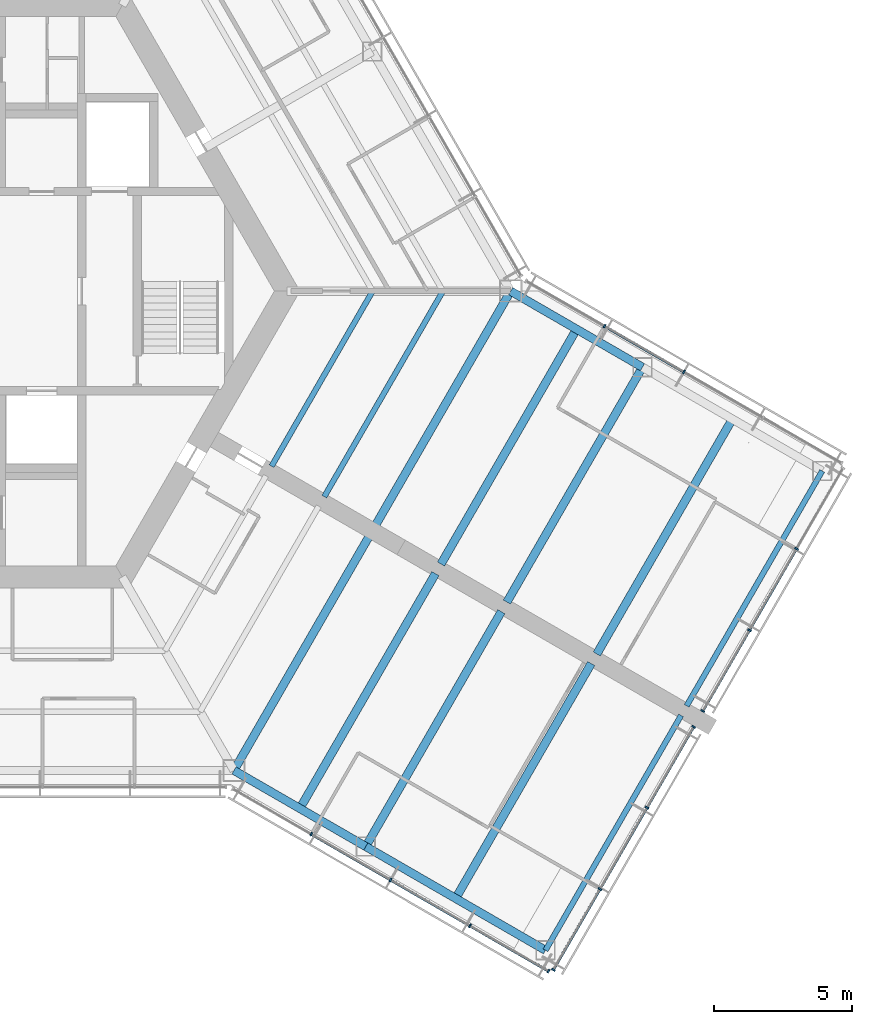
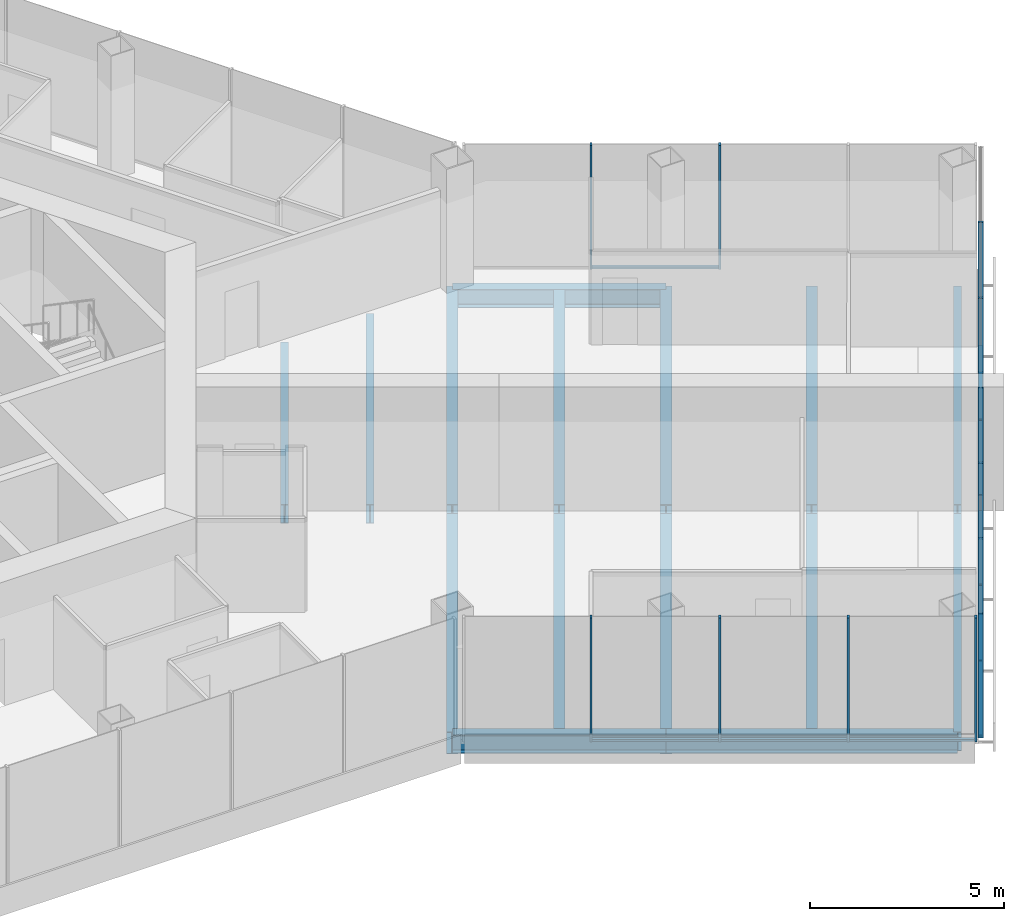
# One storey, part 4 of 17: 22 members, 15 beams, 4 elements without a shape of their own.
"""IFC4 building model written with IfcOpenShell, lengths in metres."""

from ifc_helpers import new_model, si_unit, direction, frame, origin, origin_2d, place, context, subcontext, project, spatial, rectangle, i_section, extrude, material, material_profile, profile_set, type_object, element, aggregate, save


model = new_model("IFC4")

# Units and contexts
model_context = context("Model", 3, precision=1e-05, world=origin(), true_north=direction((0.0, 1.0)))
body_context = subcontext(model_context, "Body", "Model", "MODEL_VIEW")
ifc_project = project(units=[si_unit("LENGTHUNIT", "METRE"), si_unit("AREAUNIT", "SQUARE_METRE"), si_unit("VOLUMEUNIT", "CUBIC_METRE"), si_unit("PLANEANGLEUNIT", "RADIAN"), si_unit("MASSUNIT", "GRAM", prefix="KILO")], contexts=[model_context])

# Site, building, storey
site_placement = place(None, origin())
site = spatial("IfcSite", under=ifc_project, at=site_placement, CompositionType="ELEMENT")
building_placement = place(site_placement, origin())
building = spatial("IfcBuilding", under=site, at=building_placement, Name="Kasaneha Research Tower", CompositionType="ELEMENT")
storey_placement = place(building_placement, frame((0.0, 0.0, 224.5)))
storey = spatial("IfcBuildingStorey", under=building, at=storey_placement, Name="L56", CompositionType="ELEMENT", Elevation=224.5)

# Beams
ifc_material_1 = material(Name="Steel SN490B", Category="steel")
ifc_material_profile_1 = material_profile(ifc_material_1, i_section(OverallWidth=0.199951171875, OverallDepth=0.60009765625, WebThickness=0.010986328125, FlangeThickness=0.01708984375, FilletRadius=0.012939453125, at=origin_2d()), Name="H-600x200x11x17")
ifc_profile_set_1 = profile_set([ifc_material_profile_1], Name="Steel SN490B")
beam_type_1 = type_object("IfcBeamType", Name="B1-3 secondary beam H-600x200x11x17", PredefinedType="JOIST", material=ifc_profile_set_1)
beam_1_placement = place(storey_placement, frame((15.010986328125, 0.0, -0.449951171875), z_axis=(-0.499974128195, -0.866040340363, 0.0), x_axis=(0.866040340363, -0.499974128195, 0.0)))
element("IfcBeam", 1, at=beam_1_placement, inside=storey, type_object=beam_type_1, Name="Secondary beam RS330R1 L56", PredefinedType="JOIST", context=body_context, shape_type="SweptSolid", body=[
    extrude(i_section(OverallWidth=0.199951171875, OverallDepth=0.60009765625, WebThickness=0.010986328125, FlangeThickness=0.01708984375, FilletRadius=0.012939453125, at=origin_2d()), origin(), (0.0, 0.0, 1.0), 7.3056640625),
])
beam_2_placement = place(storey_placement, frame((17.551513671875, 0.0, -0.449951171875), z_axis=(-0.500000102728, -0.866025344474, 0.0), x_axis=(0.866025344474, -0.500000102728, 0.0)))
element("IfcBeam", 2, at=beam_2_placement, inside=storey, type_object=beam_type_1, Name="Secondary beam RS330R2 L56", PredefinedType="JOIST", context=body_context, shape_type="SweptSolid", body=[
    extrude(i_section(OverallWidth=0.199951171875, OverallDepth=0.60009765625, WebThickness=0.010986328125, FlangeThickness=0.01708984375, FilletRadius=0.012939453125, at=origin_2d()), origin(), (0.0, 0.0, 1.0), 8.57568359375),
])
ifc_material_2 = material(Name="Steel SN490B", Category="steel")
ifc_material_profile_2 = material_profile(ifc_material_2, i_section(OverallWidth=0.300048828125, OverallDepth=0.58203125, WebThickness=0.011962890625, FlangeThickness=0.01708984375, FilletRadius=0.012939453125, at=origin_2d()), Name="H-582x300x12x17")
ifc_profile_set_2 = profile_set([ifc_material_profile_2], Name="Steel SN490B")
beam_type_2 = type_object("IfcBeamType", Name="B2-3 secondary beam H-582x300x12x17", PredefinedType="JOIST", material=ifc_profile_set_2)
for number, where, z_axis, x_axis, name in (
    (3, (12.381591796875, -18.695556640625, -0.44091796875), (0.49999201416, 0.866030014362, 0.0), (-0.866030014362, 0.49999201416, 0.0), "Secondary beam WBCP1 L56"),
    (4, (18.0107421875, -21.945556640625, -0.44091796875), (0.49999201416, 0.866030014362, 0.0), (-0.866030014362, 0.49999201416, 0.0), "Secondary beam WBCP2 L56"),
    (5, (22.381591796875, -1.375, -0.44091796875), (-0.49999201416, -0.866030014362, 0.0), (0.866030014362, -0.49999201416, 0.0), "Secondary beam WBCN1 L56"),
    (6, (28.0107421875, -4.625, -0.44091796875), (-0.49999201416, -0.866030014362, 0.0), (0.866030014362, -0.49999201416, 0.0), "Secondary beam WBCN2 L56"),
):
    element("IfcBeam", number, at=place(storey_placement, frame(where, z_axis=z_axis, x_axis=x_axis)), inside=storey, type_object=beam_type_2, Name=name, PredefinedType="JOIST", context=body_context, shape_type="SweptSolid", body=[
        extrude(i_section(OverallWidth=0.300048828125, OverallDepth=0.58203125, WebThickness=0.011962890625, FlangeThickness=0.01708984375, FilletRadius=0.012939453125, at=origin_2d()), origin(), (0.0, 0.0, 1.0), 9.800048828125),
    ])

# Curtain wall, members
ifc_material_3 = material(Name="Glass and aluminium", Category="aluminium")
curtain_wall_type = type_object("IfcCurtainWallType", Name="High-rise office curtain wall", PredefinedType="USERDEFINED", material=ifc_material_3)
curtain_wall_1_placement = place(storey_placement, origin())
curtain_wall_1 = element("IfcCurtainWall", 7, at=curtain_wall_1_placement, inside=storey, type_object=curtain_wall_type, Name="CW-O3 L56 run 06a", ObjectType="UNITISED CURTAIN WALL", PredefinedType="USERDEFINED")
ifc_material_4 = material(Name="Aluminium 6063-T6", Category="aluminium")
ifc_material_profile_3 = material_profile(ifc_material_4, rectangle(XDim=0.06005859375, YDim=0.139892578125, at=origin_2d()), Name="CW-O3 mullion 60x140")
ifc_profile_set_3 = profile_set([ifc_material_profile_3], Name="Aluminium 6063-T6")
member_type_1 = type_object("IfcMemberType", Name="CW-O3 mullion", PredefinedType="MULLION", material=ifc_profile_set_3)
member_1_placement = place(storey_placement, frame((12.792236328125, -19.62548828125, 0.0), z_axis=(0.0, 0.0, 1.0), x_axis=(0.866025411464, -0.499999986699, 0.0)))
member_1 = element("IfcMember", 8, at=member_1_placement, type_object=member_type_1, Name="CW-O3 mullion 2", PredefinedType="MULLION", context=body_context, shape_type="SweptSolid", body=[
    extrude(rectangle(XDim=0.06005859375, YDim=0.139892578125, at=origin_2d()), origin(), (0.0, 0.0, 1.0), 3.89990234375),
])
member_2_placement = place(storey_placement, frame((15.65869140625, -21.2802734375, 0.0), z_axis=(0.0, 0.0, 1.0), x_axis=(0.866025411464, -0.499999986699, 0.0)))
member_2 = element("IfcMember", 9, at=member_2_placement, type_object=member_type_1, Name="CW-O3 mullion 3", PredefinedType="MULLION", context=body_context, shape_type="SweptSolid", body=[
    extrude(rectangle(XDim=0.06005859375, YDim=0.139892578125, at=origin_2d()), origin(), (0.0, 0.0, 1.0), 3.89990234375),
])
member_3_placement = place(storey_placement, frame((18.52490234375, -22.935302734375, 0.0), z_axis=(0.0, 0.0, 1.0), x_axis=(0.866025411464, -0.499999986699, 0.0)))
member_3 = element("IfcMember", 10, at=member_3_placement, type_object=member_type_1, Name="CW-O3 mullion 4", PredefinedType="MULLION", context=body_context, shape_type="SweptSolid", body=[
    extrude(rectangle(XDim=0.06005859375, YDim=0.139892578125, at=origin_2d()), origin(), (0.0, 0.0, 1.0), 3.89990234375),
])
member_4_placement = place(storey_placement, frame((21.365478515625, -24.5751953125, 0.0), z_axis=(0.0, 0.0, 1.0), x_axis=(0.866025411464, -0.499999986699, 0.0)))
member_4 = element("IfcMember", 11, at=member_4_placement, type_object=member_type_1, Name="CW-O3 mullion 5", PredefinedType="MULLION", context=body_context, shape_type="SweptSolid", body=[
    extrude(rectangle(XDim=0.06005859375, YDim=0.139892578125, at=origin_2d()), origin(), (0.0, 0.0, 1.0), 3.89990234375),
])

curtain_wall_2_placement = place(storey_placement, origin())
curtain_wall_2 = element("IfcCurtainWall", 12, at=curtain_wall_2_placement, inside=storey, type_object=curtain_wall_type, Name="CW-O3 L56 run 07a", ObjectType="UNITISED CURTAIN WALL", PredefinedType="USERDEFINED")
member_5_placement = place(storey_placement, frame((21.54296875, -24.527587890625, 0.0), z_axis=(0.0, 0.0, 1.0), x_axis=(0.500000011442, 0.866025397178, 0.0)))
member_5 = element("IfcMember", 13, at=member_5_placement, type_object=member_type_1, Name="CW-O3 mullion 1", PredefinedType="MULLION", context=body_context, shape_type="SweptSolid", body=[
    extrude(rectangle(XDim=0.06005859375, YDim=0.139892578125, at=origin_2d()), origin(), (0.0, 0.0, 1.0), 3.89990234375),
])
member_6_placement = place(storey_placement, frame((23.22802734375, -21.609130859375, 0.0), z_axis=(0.0, 0.0, 1.0), x_axis=(0.500000011442, 0.866025397178, 0.0)))
member_6 = element("IfcMember", 14, at=member_6_placement, type_object=member_type_1, Name="CW-O3 mullion 2", PredefinedType="MULLION", context=body_context, shape_type="SweptSolid", body=[
    extrude(rectangle(XDim=0.06005859375, YDim=0.139892578125, at=origin_2d()), origin(), (0.0, 0.0, 1.0), 3.89990234375),
])
member_7_placement = place(storey_placement, frame((24.927978515625, -18.66455078125, 0.0), z_axis=(0.0, 0.0, 1.0), x_axis=(0.500000011442, 0.866025397178, 0.0)))
member_7 = element("IfcMember", 15, at=member_7_placement, type_object=member_type_1, Name="CW-O3 mullion 3", PredefinedType="MULLION", context=body_context, shape_type="SweptSolid", body=[
    extrude(rectangle(XDim=0.06005859375, YDim=0.139892578125, at=origin_2d()), origin(), (0.0, 0.0, 1.0), 3.89990234375),
])
member_8_placement = place(storey_placement, frame((26.613037109375, -15.74609375, 0.0), z_axis=(0.0, 0.0, 1.0), x_axis=(0.500000011442, 0.866025397178, 0.0)))
member_8 = element("IfcMember", 16, at=member_8_placement, type_object=member_type_1, Name="CW-O3 mullion 4", PredefinedType="MULLION", context=body_context, shape_type="SweptSolid", body=[
    extrude(rectangle(XDim=0.06005859375, YDim=0.139892578125, at=origin_2d()), origin(), (0.0, 0.0, 1.0), 3.89990234375),
])

curtain_wall_3_placement = place(storey_placement, origin())
curtain_wall_3 = element("IfcCurtainWall", 17, at=curtain_wall_3_placement, inside=storey, type_object=curtain_wall_type, Name="CW-O3 L56 run 08a", ObjectType="UNITISED CURTAIN WALL", PredefinedType="USERDEFINED")
member_9_placement = place(storey_placement, frame((26.94287109375, -15.174560546875, 0.0), z_axis=(0.0, 0.0, 1.0), x_axis=(0.500000011442, 0.866025397178, 0.0)))
member_9 = element("IfcMember", 18, at=member_9_placement, type_object=member_type_1, Name="CW-O3 mullion 1", PredefinedType="MULLION", context=body_context, shape_type="SweptSolid", body=[
    extrude(rectangle(XDim=0.06005859375, YDim=0.139892578125, at=origin_2d()), origin(), (0.0, 0.0, 1.0), 3.89990234375),
])
member_10_placement = place(storey_placement, frame((28.6279296875, -12.255859375, 0.0), z_axis=(0.0, 0.0, 1.0), x_axis=(0.500000011442, 0.866025397178, 0.0)))
member_10 = element("IfcMember", 19, at=member_10_placement, type_object=member_type_1, Name="CW-O3 mullion 2", PredefinedType="MULLION", context=body_context, shape_type="SweptSolid", body=[
    extrude(rectangle(XDim=0.06005859375, YDim=0.139892578125, at=origin_2d()), origin(), (0.0, 0.0, 1.0), 3.89990234375),
])
member_11_placement = place(storey_placement, frame((30.327880859375, -9.3115234375, 0.0), z_axis=(0.0, 0.0, 1.0), x_axis=(0.500000011442, 0.866025397178, 0.0)))
member_11 = element("IfcMember", 20, at=member_11_placement, type_object=member_type_1, Name="CW-O3 mullion 3", PredefinedType="MULLION", context=body_context, shape_type="SweptSolid", body=[
    extrude(rectangle(XDim=0.06005859375, YDim=0.139892578125, at=origin_2d()), origin(), (0.0, 0.0, 1.0), 3.89990234375),
])

curtain_wall_4_placement = place(storey_placement, origin())
curtain_wall_4 = element("IfcCurtainWall", 21, at=curtain_wall_4_placement, inside=storey, type_object=curtain_wall_type, Name="CW-O3 L56 run 09a", ObjectType="UNITISED CURTAIN WALL", PredefinedType="USERDEFINED")
member_12_placement = place(storey_placement, frame((26.258544921875, -2.920654296875, 0.0), z_axis=(0.0, 0.0, 1.0), x_axis=(-0.866025411464, 0.499999986699, 0.0)))
member_12 = element("IfcMember", 22, at=member_12_placement, type_object=member_type_1, Name="CW-O3 mullion 3", PredefinedType="MULLION", context=body_context, shape_type="SweptSolid", body=[
    extrude(rectangle(XDim=0.06005859375, YDim=0.139892578125, at=origin_2d()), origin(), (0.0, 0.0, 1.0), 3.89990234375),
])
member_13_placement = place(storey_placement, frame((23.39208984375, -1.265625, 0.0), z_axis=(0.0, 0.0, 1.0), x_axis=(-0.866025411464, 0.499999986699, 0.0)))
member_13 = element("IfcMember", 23, at=member_13_placement, type_object=member_type_1, Name="CW-O3 mullion 4", PredefinedType="MULLION", context=body_context, shape_type="SweptSolid", body=[
    extrude(rectangle(XDim=0.06005859375, YDim=0.139892578125, at=origin_2d()), origin(), (0.0, 0.0, 1.0), 3.89990234375),
])

# Member
ifc_material_5 = material(Name="Aluminium 6063-T6", Category="aluminium")
ifc_material_profile_4 = material_profile(ifc_material_5, rectangle(XDim=0.10009765625, YDim=0.06005859375, at=origin_2d()), Name="CW-O3 transom 100x60")
ifc_profile_set_4 = profile_set([ifc_material_profile_4], Name="Aluminium 6063-T6")
member_type_2 = type_object("IfcMemberType", Name="CW-O3 transom", PredefinedType="USERDEFINED", material=ifc_profile_set_4)
member_14_placement = place(storey_placement, frame((12.818115234375, -19.640380859375, 0.030029296875), z_axis=(0.866015446554, -0.500017246033, 0.0), x_axis=(0.500017246033, 0.866015446554, 0.0)))
member_14 = element("IfcMember", 24, at=member_14_placement, type_object=member_type_2, Name="CW-O3 transom 2", ObjectType="TRANSOM", PredefinedType="USERDEFINED", context=body_context, shape_type="SweptSolid", body=[
    extrude(rectangle(XDim=0.10009765625, YDim=0.06005859375, at=origin_2d()), origin(), (0.0, 0.0, 1.0), 3.25),
])

member_15_placement = place(storey_placement, frame((15.6845703125, -21.29541015625, 0.030029296875), z_axis=(0.86604797581, -0.499960902066, 0.0), x_axis=(0.499960902066, 0.86604797581, 0.0)))
member_15 = element("IfcMember", 25, at=member_15_placement, type_object=member_type_2, Name="CW-O3 transom 3", ObjectType="TRANSOM", PredefinedType="USERDEFINED", context=body_context, shape_type="SweptSolid", body=[
    extrude(rectangle(XDim=0.10009765625, YDim=0.06005859375, at=origin_2d()), origin(), (0.0, 0.0, 1.0), 3.249755859375),
])

member_16_placement = place(storey_placement, frame((18.551025390625, -22.9501953125, 0.030029296875), z_axis=(0.866022692473, -0.500004696101, 0.0), x_axis=(0.500004696101, 0.866022692473, 0.0)))
member_16 = element("IfcMember", 26, at=member_16_placement, type_object=member_type_2, Name="CW-O3 transom 4", ObjectType="TRANSOM", PredefinedType="USERDEFINED", context=body_context, shape_type="SweptSolid", body=[
    extrude(rectangle(XDim=0.10009765625, YDim=0.06005859375, at=origin_2d()), origin(), (0.0, 0.0, 1.0), 3.2197265625),
])

aggregate(curtain_wall_1, [member_1, member_2, member_3, member_4, member_14, member_15, member_16])

member_17_placement = place(storey_placement, frame((21.557861328125, -24.50146484375, 0.030029296875), z_axis=(0.500018282537, 0.866014848099, 0.0), x_axis=(-0.866014848099, 0.500018282537, 0.0)))
member_17 = element("IfcMember", 27, at=member_17_placement, type_object=member_type_2, Name="CW-O3 transom 1", ObjectType="TRANSOM", PredefinedType="USERDEFINED", context=body_context, shape_type="SweptSolid", body=[
    extrude(rectangle(XDim=0.10009765625, YDim=0.06005859375, at=origin_2d()), origin(), (0.0, 0.0, 1.0), 3.31005859375),
])

member_18_placement = place(storey_placement, frame((23.242919921875, -21.5830078125, 0.030029296875), z_axis=(0.499975549825, 0.866039519639, 0.0), x_axis=(-0.866039519639, 0.499975549825, 0.0)))
member_18 = element("IfcMember", 28, at=member_18_placement, type_object=member_type_2, Name="CW-O3 transom 2", ObjectType="TRANSOM", PredefinedType="USERDEFINED", context=body_context, shape_type="SweptSolid", body=[
    extrude(rectangle(XDim=0.10009765625, YDim=0.06005859375, at=origin_2d()), origin(), (0.0, 0.0, 1.0), 3.340087890625),
])

member_19_placement = place(storey_placement, frame((24.94287109375, -18.638671875, 0.030029296875), z_axis=(0.49998634449, 0.866033287653, 0.0), x_axis=(-0.866033287653, 0.49998634449, 0.0)))
member_19 = element("IfcMember", 29, at=member_19_placement, type_object=member_type_2, Name="CW-O3 transom 3", ObjectType="TRANSOM", PredefinedType="USERDEFINED", context=body_context, shape_type="SweptSolid", body=[
    extrude(rectangle(XDim=0.10009765625, YDim=0.06005859375, at=origin_2d()), origin(), (0.0, 0.0, 1.0), 3.31005859375),
])

aggregate(curtain_wall_2, [member_5, member_6, member_7, member_8, member_17, member_18, member_19])

member_20_placement = place(storey_placement, frame((26.9580078125, -15.1484375, 0.030029296875), z_axis=(0.500018282537, 0.866014848099, 0.0), x_axis=(-0.866014848099, 0.500018282537, 0.0)))
member_20 = element("IfcMember", 30, at=member_20_placement, type_object=member_type_2, Name="CW-O3 transom 1", ObjectType="TRANSOM", PredefinedType="USERDEFINED", context=body_context, shape_type="SweptSolid", body=[
    extrude(rectangle(XDim=0.10009765625, YDim=0.06005859375, at=origin_2d()), origin(), (0.0, 0.0, 1.0), 3.31005859375),
])

member_21_placement = place(storey_placement, frame((28.64306640625, -12.22998046875, 0.030029296875), z_axis=(0.499975549825, 0.866039519639, 0.0), x_axis=(-0.866039519639, 0.499975549825, 0.0)))
member_21 = element("IfcMember", 31, at=member_21_placement, type_object=member_type_2, Name="CW-O3 transom 2", ObjectType="TRANSOM", PredefinedType="USERDEFINED", context=body_context, shape_type="SweptSolid", body=[
    extrude(rectangle(XDim=0.10009765625, YDim=0.06005859375, at=origin_2d()), origin(), (0.0, 0.0, 1.0), 3.340087890625),
])

aggregate(curtain_wall_3, [member_9, member_10, member_11, member_20, member_21])

member_22_placement = place(storey_placement, frame((26.232666015625, -2.905517578125, 0.030029296875), z_axis=(-0.86604797581, 0.499960902066, 0.0), x_axis=(-0.499960902066, -0.86604797581, 0.0)))
member_22 = element("IfcMember", 32, at=member_22_placement, type_object=member_type_2, Name="CW-O3 transom 3", ObjectType="TRANSOM", PredefinedType="USERDEFINED", context=body_context, shape_type="SweptSolid", body=[
    extrude(rectangle(XDim=0.10009765625, YDim=0.06005859375, at=origin_2d()), origin(), (0.0, 0.0, 1.0), 3.249755859375),
])

aggregate(curtain_wall_4, [member_12, member_13, member_22])

# Beams
ifc_material_6 = material(Name="Steel SN490B", Category="steel")
ifc_material_profile_5 = material_profile(ifc_material_6, i_section(OverallWidth=0.300048828125, OverallDepth=0.69189453125, WebThickness=0.012939453125, FlangeThickness=0.02001953125, FilletRadius=0.01806640625, at=origin_2d()), Name="H-692x300x13x20")
ifc_profile_set_5 = profile_set([ifc_material_profile_5], Name="Steel SN490B")
beam_type_3 = type_object("IfcBeamType", Name="G3-3 plate edge girder H-692x300x13x20", PredefinedType="BEAM", material=ifc_profile_set_5)
for number, where, z_axis, x_axis, name in (
    (33, (10.0, -17.320556640625, -0.49609375), (0.49999201416, 0.866030014362, 0.0), (-0.866030014362, 0.49999201416, 0.0), "Plate edge girder PECP L56"),
    (34, (20.0, 0.0, -0.49609375), (-0.49999201416, -0.866030014362, 0.0), (0.866030014362, -0.49999201416, 0.0), "Plate edge girder PECN L56"),
):
    element("IfcBeam", number, at=place(storey_placement, frame(where, z_axis=z_axis, x_axis=x_axis)), inside=storey, type_object=beam_type_3, Name=name, PredefinedType="BEAM", context=body_context, shape_type="SweptSolid", body=[
        extrude(i_section(OverallWidth=0.300048828125, OverallDepth=0.69189453125, WebThickness=0.012939453125, FlangeThickness=0.02001953125, FilletRadius=0.01806640625, at=origin_2d()), origin(), (0.0, 0.0, 1.0), 9.800048828125),
    ])
ifc_material_7 = material(Name="Steel SN490B", Category="steel")
ifc_material_profile_6 = material_profile(ifc_material_7, i_section(OverallWidth=0.300048828125, OverallDepth=0.699951171875, WebThickness=0.012939453125, FlangeThickness=0.02392578125, FilletRadius=0.01806640625, at=origin_2d()), Name="H-700x300x13x24")
ifc_profile_set_6 = profile_set([ifc_material_profile_6], Name="Steel SN490B")
beam_type_4 = type_object("IfcBeamType", Name="G4-3 wing girder H-700x300x13x24", PredefinedType="BEAM", material=ifc_profile_set_6)
for number, where, z_axis, x_axis, name in (
    (35, (14.76318359375, -20.070556640625, -0.5), (0.49999201416, 0.866030014362, 0.0), (-0.866030014362, 0.49999201416, 0.0), "Wing girder WGCP L56"),
    (36, (24.76318359375, -2.75, -0.5), (-0.500010698315, -0.866019227021, 0.0), (0.866019227021, -0.500010698315, 0.0), "Wing girder WGCN L56"),
):
    element("IfcBeam", number, at=place(storey_placement, frame(where, z_axis=z_axis, x_axis=x_axis)), inside=storey, type_object=beam_type_4, Name=name, PredefinedType="BEAM", context=body_context, shape_type="SweptSolid", body=[
        extrude(i_section(OverallWidth=0.300048828125, OverallDepth=0.699951171875, WebThickness=0.012939453125, FlangeThickness=0.02392578125, FilletRadius=0.01806640625, at=origin_2d()), origin(), (0.0, 0.0, 1.0), 9.800048828125),
    ])
ifc_material_8 = material(Name="Steel SN490B", Category="steel")
ifc_material_profile_7 = material_profile(ifc_material_8, i_section(OverallWidth=0.300048828125, OverallDepth=0.58203125, WebThickness=0.011962890625, FlangeThickness=0.01708984375, FilletRadius=0.012939453125, at=origin_2d()), Name="H-582x300x12x17")
ifc_profile_set_7 = profile_set([ifc_material_profile_7], Name="Steel SN490B")
beam_type_5 = type_object("IfcBeamType", Name="SB2-3 spandrel beam H-582x300x12x17", PredefinedType="SPANDREL", material=ifc_profile_set_7)
beam_3_placement = place(storey_placement, frame((10.0, -17.320556640625, -0.44091796875), z_axis=(0.866027397988, -0.499996545922, 0.0), x_axis=(0.499996545922, 0.866027397988, 0.0)))
element("IfcBeam", 37, at=beam_3_placement, inside=storey, type_object=beam_type_5, Name="Spandrel beam WSCP1 L56", PredefinedType="SPANDREL", context=body_context, shape_type="SweptSolid", body=[
    extrude(i_section(OverallWidth=0.300048828125, OverallDepth=0.58203125, WebThickness=0.011962890625, FlangeThickness=0.01708984375, FilletRadius=0.012939453125, at=origin_2d()), origin(), (0.0, 0.0, 1.0), 5.5),
])
beam_4_placement = place(storey_placement, frame((14.76318359375, -20.070556640625, -0.44091796875), z_axis=(0.866022959057, -0.500004234368, 0.0), x_axis=(0.500004234368, 0.866022959057, 0.0)))
element("IfcBeam", 38, at=beam_4_placement, inside=storey, type_object=beam_type_5, Name="Spandrel beam WSCP2 L56", PredefinedType="SPANDREL", context=body_context, shape_type="SweptSolid", body=[
    extrude(i_section(OverallWidth=0.300048828125, OverallDepth=0.58203125, WebThickness=0.011962890625, FlangeThickness=0.01708984375, FilletRadius=0.012939453125, at=origin_2d()), origin(), (0.0, 0.0, 1.0), 7.5),
])
beam_5_placement = place(storey_placement, frame((20.0, 0.0, -0.44091796875), z_axis=(0.866027397988, -0.499996545922, 0.0), x_axis=(0.499996545922, 0.866027397988, 0.0)))
element("IfcBeam", 39, at=beam_5_placement, inside=storey, type_object=beam_type_5, Name="Spandrel beam WSCN1 L56", PredefinedType="SPANDREL", context=body_context, shape_type="SweptSolid", body=[
    extrude(i_section(OverallWidth=0.300048828125, OverallDepth=0.58203125, WebThickness=0.011962890625, FlangeThickness=0.01708984375, FilletRadius=0.012939453125, at=origin_2d()), origin(), (0.0, 0.0, 1.0), 5.5),
])
ifc_material_9 = material(Name="Steel SN490B", Category="steel")
ifc_material_profile_8 = material_profile(ifc_material_9, i_section(OverallWidth=0.199951171875, OverallDepth=0.60009765625, WebThickness=0.010986328125, FlangeThickness=0.01708984375, FilletRadius=0.012939453125, at=origin_2d()), Name="H-600x200x11x17")
ifc_profile_set_8 = profile_set([ifc_material_profile_8], Name="Steel SN490B")
beam_type_6 = type_object("IfcBeamType", Name="SB3-3 spandrel beam H-600x200x11x17", PredefinedType="SPANDREL", material=ifc_profile_set_8)
for number, where, z_axis, x_axis, name in (
    (40, (21.25830078125, -23.820556640625, -0.449951171875), (0.500010698315, 0.866019227021, 0.0), (-0.866019227021, 0.500010698315, 0.0), "Spandrel beam WTCP L56"),
    (41, (31.25830078125, -6.5, -0.449951171875), (-0.49999201416, -0.866030014362, 0.0), (0.866030014362, -0.49999201416, 0.0), "Spandrel beam WTCN L56"),
):
    element("IfcBeam", number, at=place(storey_placement, frame(where, z_axis=z_axis, x_axis=x_axis)), inside=storey, type_object=beam_type_6, Name=name, PredefinedType="SPANDREL", context=body_context, shape_type="SweptSolid", body=[
        extrude(i_section(OverallWidth=0.199951171875, OverallDepth=0.60009765625, WebThickness=0.010986328125, FlangeThickness=0.01708984375, FilletRadius=0.012939453125, at=origin_2d()), origin(), (0.0, 0.0, 1.0), 9.800048828125),
    ])

save(model, "model.ifc")
